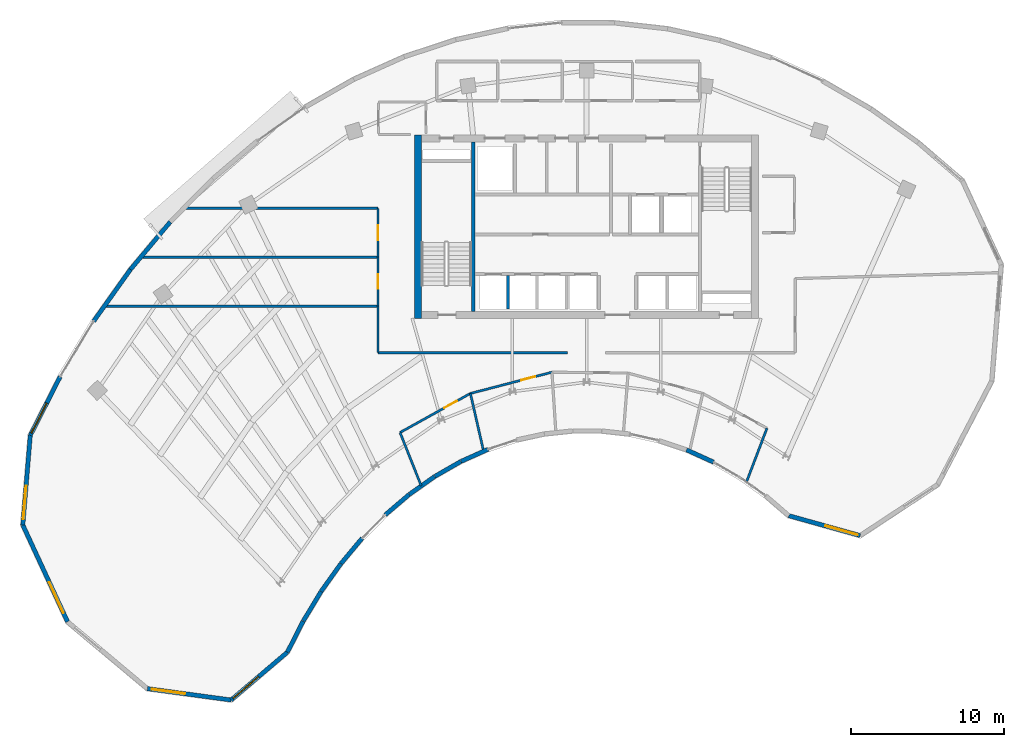
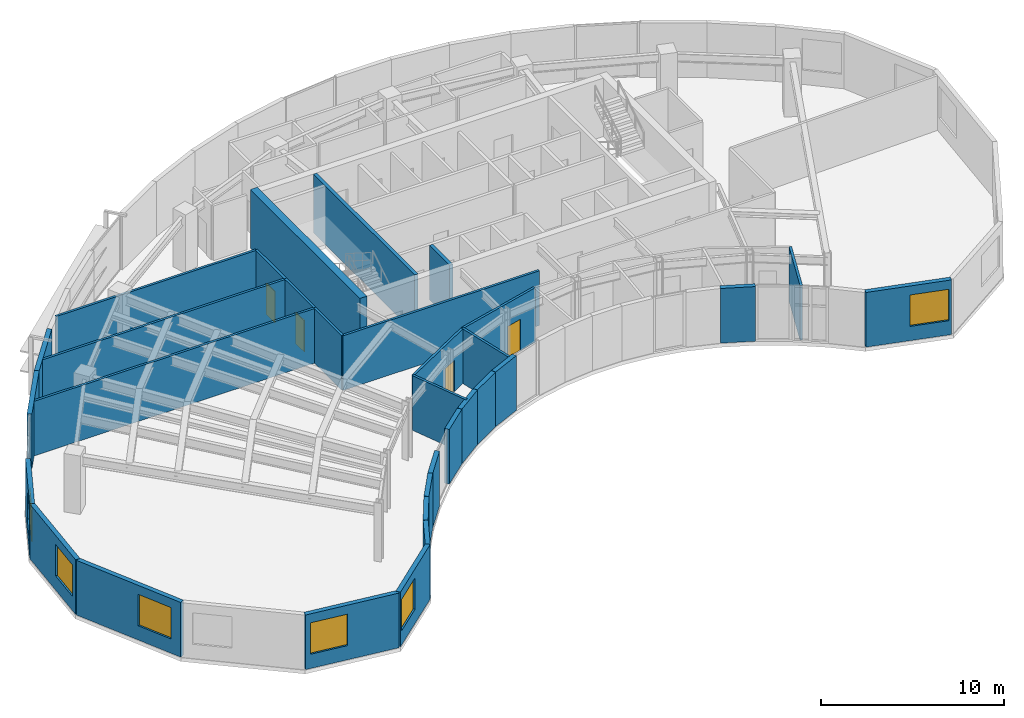
# One storey, part 7 of 12: 32 walls, 6 windows, 4 doors, 10 openings.
"""IFC4 building model written with IfcOpenShell, lengths in metres."""

from ifc_helpers import new_model, si_unit, direction, frame, frame_2d, origin, place, context, subcontext, project, spatial, rectangle, extrude, source, transform, mapped, material, layer, layer_set, type_object, type_shapes, element, fill, save


model = new_model("IFC4")

# Units and contexts
model_context = context("Model", 3, precision=1e-05, world=origin(), true_north=direction((0.0, 1.0)))
body_context = subcontext(model_context, "Body", "Model", "MODEL_VIEW")
ifc_project = project(units=[si_unit("LENGTHUNIT", "METRE"), si_unit("AREAUNIT", "SQUARE_METRE"), si_unit("VOLUMEUNIT", "CUBIC_METRE"), si_unit("PLANEANGLEUNIT", "RADIAN"), si_unit("MASSUNIT", "GRAM", prefix="KILO")], contexts=[model_context])

# Site, building, storey
site_placement = place(None, origin())
site = spatial("IfcSite", under=ifc_project, at=site_placement, CompositionType="ELEMENT")
building_placement = place(site_placement, origin())
building = spatial("IfcBuilding", under=site, at=building_placement, Name="Breltana Convention Tower", CompositionType="ELEMENT")
storey_placement = place(building_placement, frame((0.0, 0.0, 239.10009765625)))
storey = spatial("IfcBuildingStorey", under=building, at=storey_placement, Name="L58", CompositionType="ELEMENT", Elevation=239.10009765625)

# Walls
ifc_material_1 = material(Name="Concrete C60/75", Category="concrete")
ifc_layer_1 = layer(ifc_material_1, 0.449951171875, Name="Concrete C60/75")
ifc_layer_set_1 = layer_set([ifc_layer_1], Name="Concrete C60/75")
wall_type_1 = type_object("IfcWallType", Name="SW-CORE-450", PredefinedType="SHEAR", material=ifc_layer_set_1)
shared_shape_1 = source(origin(), body_context, "Body", "SweptSolid", [
    extrude(rectangle(XDim=12.0, YDim=0.449951171875, at=frame_2d((6.0, 0.0))), origin(), (0.0, 0.0, 1.0), 3.89990234375),
])
wall_1_placement = place(storey_placement, frame((36.97509765625, 60.199951171875, 0.0), z_axis=(0.0, 0.0, 1.0), x_axis=(0.0, 1.0, 0.0)))
element("IfcWall", 1, at=wall_1_placement, inside=storey, type_object=wall_type_1, Name="L58 West Core Shear Wall", PredefinedType="SHEAR", context=body_context, shape_type="MappedRepresentation", body=[
    mapped(shared_shape_1, transform((0.0, 0.0, 0.0), scale=1.0)),
])
ifc_material_2 = material(Name="Concrete C50/60", Category="concrete")
ifc_layer_2 = layer(ifc_material_2, 0.39990234375, Name="Concrete C50/60")
ifc_layer_set_2 = layer_set([ifc_layer_2], Name="Concrete C50/60")
wall_type_2 = type_object("IfcWallType", Name="SW-CORE-400", PredefinedType="SHEAR", material=ifc_layer_set_2)
shared_shape_2 = source(origin(), body_context, "Body", "SweptSolid", [
    extrude(rectangle(XDim=11.10009765625, YDim=0.219970703125, at=frame_2d((5.550048828125, 0.0))), origin(), (0.0, 0.0, 1.0), 3.89990234375),
])
wall_2_placement = place(storey_placement, frame((40.580078125, 60.64990234375, 0.0), z_axis=(0.0, 0.0, 1.0), x_axis=(0.0, 1.0, 0.0)))
element("IfcWall", 2, at=wall_2_placement, inside=storey, type_object=wall_type_2, Name="L58 Core West Stair Spine Wall", PredefinedType="SHEAR", context=body_context, shape_type="MappedRepresentation", body=[
    mapped(shared_shape_2, transform((0.0, 0.0, 0.0), scale=1.0)),
])

# Wall, opening, window
ifc_material_3 = material(Name="Limestone Buff Insulated Wall", Category="masonry")
ifc_layer_3 = layer(ifc_material_3, 0.280029296875, Name="Limestone Buff Insulated Wall")
ifc_layer_set_3 = layer_set([ifc_layer_3], Name="Limestone Buff Insulated Wall")
wall_type_3 = type_object("IfcWallType", Name="WL-EXT-NOSE-280", PredefinedType="SOLIDWALL", material=ifc_layer_set_3)
shared_shape_3 = source(origin(), body_context, "Body", "SweptSolid", [
    extrude(rectangle(XDim=4.84716796875, YDim=0.280029296875, at=frame_2d((2.423583984375, 0.0))), origin(), (0.0, 0.0, 1.0), 3.64990234375),
])
wall_3_placement = place(storey_placement, frame((65.890625, 45.996337890625, 0.0), z_axis=(0.0, 0.0, 1.0), x_axis=(-0.963208430762, 0.268755500238, 0.0)))
wall_3 = element("IfcWall", 3, at=wall_3_placement, inside=storey, type_object=wall_type_3, Name="L58 curved limestone nose wall E5", PredefinedType="SOLIDWALL", context=body_context, shape_type="MappedRepresentation", body=[
    mapped(shared_shape_3, transform((0.0, 0.0, 0.0), scale=1.0)),
])
opening_1_placement = place(wall_3_placement, frame((0.159912109375, 0.0, 0.949951171875)))
opening_1 = element("IfcOpeningElement", 4, at=opening_1_placement, cuts=wall_3, Name="Opening W-03", PredefinedType="OPENING", context=body_context, shape_type="SweptSolid", body=[
    extrude(rectangle(XDim=2.199951171875, YDim=2.10009765625, at=frame_2d((1.10009765625, 1.050048828125))), frame((0.0, 0.14990234375, 0.0), z_axis=(0.0, -1.0, 0.0), x_axis=(1.0, 0.0, 0.0)), (0.0, 0.0, 1.0), 0.300048828125),
])
ifc_material_4 = material(Name="Glass Low-E Insulated Window", Category="glass")
window_type = type_object("IfcWindowType", Name="WN-NOSE-2200X2100", PartitioningType="TRIPLE_PANEL_VERTICAL", PredefinedType="WINDOW", material=ifc_material_4)
shared_shape_4 = source(origin(), body_context, "Body", "SweptSolid", [
    extrude(rectangle(XDim=2.199951171875, YDim=2.10009765625, at=frame_2d((1.10009765625, 1.050048828125))), frame((0.0, 0.030029296875, 0.0), z_axis=(0.0, -1.0, 0.0), x_axis=(1.0, 0.0, 0.0)), (0.0, 0.0, 1.0), 0.06005859375),
])
type_shapes(window_type, [shared_shape_4])
window_1_placement = place(opening_1_placement, origin())
window_1 = element("IfcWindow", 5, at=window_1_placement, inside=storey, type_object=window_type, Name="L58 nose window E5", OverallHeight=2.10009765625, OverallWidth=2.199951171875, PartitioningType="TRIPLE_PANEL_VERTICAL", PredefinedType="WINDOW", context=body_context, shape_type="MappedRepresentation", body=[
    mapped(shared_shape_4, transform((0.0, 0.0, 0.0), scale=1.0)),
])
fill(opening_1, window_1)

# Walls
shared_shape_5 = source(origin(), body_context, "Body", "SweptSolid", [
    extrude(rectangle(XDim=1.932861328125, YDim=0.280029296875, at=frame_2d((0.96630859375, 0.0))), origin(), (0.0, 0.0, 1.0), 3.64990234375),
])
wall_4_placement = place(storey_placement, frame((56.2998046875, 50.802001953125, 0.0), z_axis=(0.0, 0.0, 1.0), x_axis=(-0.910478916145, 0.413555489936, 0.0)))
element("IfcWall", 6, at=wall_4_placement, inside=storey, type_object=wall_type_3, Name="L58 curved limestone nose wall E7", PredefinedType="SOLIDWALL", context=body_context, shape_type="MappedRepresentation", body=[
    mapped(shared_shape_5, transform((0.0, 0.0, 0.0), scale=1.0)),
])
shared_shape_6 = source(origin(), body_context, "Body", "SweptSolid", [
    extrude(rectangle(XDim=1.968994140625, YDim=0.280029296875, at=frame_2d((0.984375, 0.0))), origin(), (0.0, 0.0, 1.0), 3.64990234375),
])
wall_5_placement = place(storey_placement, frame((39.77880859375, 50.84228515625, 0.0), z_axis=(0.0, 0.0, 1.0), x_axis=(-0.86797594681, -0.496606238139, 0.0)))
element("IfcWall", 7, at=wall_5_placement, inside=storey, type_object=wall_type_3, Name="L58 curved limestone nose wall E14", PredefinedType="SOLIDWALL", context=body_context, shape_type="MappedRepresentation", body=[
    mapped(shared_shape_6, transform((0.0, 0.0, 0.0), scale=1.0)),
])
shared_shape_7 = source(origin(), body_context, "Body", "SweptSolid", [
    extrude(rectangle(XDim=2.011962890625, YDim=0.280029296875, at=frame_2d((1.005859375, 0.0))), origin(), (0.0, 0.0, 1.0), 3.64990234375),
])
wall_6_placement = place(storey_placement, frame((38.055419921875, 49.855224609375, 0.0), z_axis=(0.0, 0.0, 1.0), x_axis=(-0.817008215805, -0.576626027255, 0.0)))
element("IfcWall", 8, at=wall_6_placement, inside=storey, type_object=wall_type_3, Name="L58 curved limestone nose wall E15", PredefinedType="SOLIDWALL", context=body_context, shape_type="MappedRepresentation", body=[
    mapped(shared_shape_7, transform((0.0, 0.0, 0.0), scale=1.0)),
])
shared_shape_8 = source(origin(), body_context, "Body", "SweptSolid", [
    extrude(rectangle(XDim=2.0595703125, YDim=0.280029296875, at=frame_2d((1.02978515625, 0.0))), origin(), (0.0, 0.0, 1.0), 3.64990234375),
])
wall_7_placement = place(storey_placement, frame((36.398681640625, 48.68505859375, 0.0), z_axis=(0.0, 0.0, 1.0), x_axis=(-0.761494573969, -0.648171284319, 0.0)))
element("IfcWall", 9, at=wall_7_placement, inside=storey, type_object=wall_type_3, Name="L58 curved limestone nose wall E16", PredefinedType="SOLIDWALL", context=body_context, shape_type="MappedRepresentation", body=[
    mapped(shared_shape_8, transform((0.0, 0.0, 0.0), scale=1.0)),
])
shared_shape_9 = source(origin(), body_context, "Body", "SweptSolid", [
    extrude(rectangle(XDim=2.211669921875, YDim=0.280029296875, at=frame_2d((1.10595703125, 0.0))), origin(), (0.0, 0.0, 1.0), 3.64990234375),
])
wall_8_placement = place(storey_placement, frame((31.931396484375, 44.159423828125, 0.0), z_axis=(0.0, 0.0, 1.0), x_axis=(-0.579639452819, -0.814873060504, 0.0)))
element("IfcWall", 10, at=wall_8_placement, inside=storey, type_object=wall_type_3, Name="L58 curved limestone nose wall E18", PredefinedType="SOLIDWALL", context=body_context, shape_type="MappedRepresentation", body=[
    mapped(shared_shape_9, transform((0.0, 0.0, 0.0), scale=1.0)),
])
shared_shape_10 = source(origin(), body_context, "Body", "SweptSolid", [
    extrude(rectangle(XDim=2.260986328125, YDim=0.280029296875, at=frame_2d((1.13037109375, 0.0))), origin(), (0.0, 0.0, 1.0), 3.64990234375),
])
wall_9_placement = place(storey_placement, frame((30.64208984375, 42.345703125, 0.0), z_axis=(0.0, 0.0, 1.0), x_axis=(-0.516891494538, -0.856050923062, 0.0)))
element("IfcWall", 11, at=wall_9_placement, inside=storey, type_object=wall_type_3, Name="L58 curved limestone nose wall E19", PredefinedType="SOLIDWALL", context=body_context, shape_type="MappedRepresentation", body=[
    mapped(shared_shape_10, transform((0.0, 0.0, 0.0), scale=1.0)),
])
shared_shape_11 = source(origin(), body_context, "Body", "SweptSolid", [
    extrude(rectangle(XDim=2.271484375, YDim=0.280029296875, at=frame_2d((1.1357421875, 0.0))), origin(), (0.0, 0.0, 1.0), 3.64990234375),
])
wall_10_placement = place(storey_placement, frame((29.467041015625, 40.39892578125, 0.0), z_axis=(0.0, 0.0, 1.0), x_axis=(-0.453993402883, -0.891005044957, 0.0)))
element("IfcWall", 12, at=wall_10_placement, inside=storey, type_object=wall_type_3, Name="L58 curved limestone nose wall W1", PredefinedType="SOLIDWALL", context=body_context, shape_type="MappedRepresentation", body=[
    mapped(shared_shape_11, transform((0.0, 0.0, 0.0), scale=1.0)),
])

# Wall, opening, window
shared_shape_12 = source(origin(), body_context, "Body", "SweptSolid", [
    extrude(rectangle(XDim=4.830078125, YDim=0.280029296875, at=frame_2d((2.4150390625, 0.0))), origin(), (0.0, 0.0, 1.0), 3.64990234375),
])
wall_11_placement = place(storey_placement, frame((28.435791015625, 38.375, 0.0), z_axis=(0.0, 0.0, 1.0), x_axis=(-0.761890676316, -0.647705640968, 0.0)))
wall_11 = element("IfcWall", 13, at=wall_11_placement, inside=storey, type_object=wall_type_3, Name="L58 curved limestone nose wall W2", PredefinedType="SOLIDWALL", context=body_context, shape_type="MappedRepresentation", body=[
    mapped(shared_shape_12, transform((0.0, 0.0, 0.0), scale=1.0)),
])
opening_2_placement = place(wall_11_placement, frame((2.4697265625, 0.0, 0.949951171875)))
opening_2 = element("IfcOpeningElement", 14, at=opening_2_placement, cuts=wall_11, Name="Opening W-03", PredefinedType="OPENING", context=body_context, shape_type="SweptSolid", body=[
    extrude(rectangle(XDim=2.199951171875, YDim=2.10009765625, at=frame_2d((1.10009765625, 1.050048828125))), frame((0.0, 0.14990234375, 0.0), z_axis=(0.0, -1.0, 0.0), x_axis=(1.0, 0.0, 0.0)), (0.0, 0.0, 1.0), 0.300048828125),
])
window_2_placement = place(opening_2_placement, origin())
window_2 = element("IfcWindow", 15, at=window_2_placement, inside=storey, type_object=window_type, Name="L58 nose window W2", OverallHeight=2.10009765625, OverallWidth=2.199951171875, PartitioningType="TRIPLE_PANEL_VERTICAL", PredefinedType="WINDOW", context=body_context, shape_type="MappedRepresentation", body=[
    mapped(shared_shape_4, transform((0.0, 0.0, 0.0), scale=1.0)),
])
fill(opening_2, window_2)

shared_shape_13 = source(origin(), body_context, "Body", "SweptSolid", [
    extrude(rectangle(XDim=5.51953125, YDim=0.280029296875, at=frame_2d((2.759765625, 0.0))), origin(), (0.0, 0.0, 1.0), 3.64990234375),
])
wall_12_placement = place(storey_placement, frame((24.755859375, 35.24658203125, 0.0), z_axis=(0.0, 0.0, 1.0), x_axis=(-0.99093029136, 0.134376923856, 0.0)))
wall_12 = element("IfcWall", 16, at=wall_12_placement, inside=storey, type_object=wall_type_3, Name="L58 curved limestone nose wall W3", PredefinedType="SOLIDWALL", context=body_context, shape_type="MappedRepresentation", body=[
    mapped(shared_shape_13, transform((0.0, 0.0, 0.0), scale=1.0)),
])
opening_3_placement = place(wall_12_placement, frame((3.039794921875, 0.0, 0.949951171875)))
opening_3 = element("IfcOpeningElement", 17, at=opening_3_placement, cuts=wall_12, Name="Opening W-03", PredefinedType="OPENING", context=body_context, shape_type="SweptSolid", body=[
    extrude(rectangle(XDim=2.199951171875, YDim=2.10009765625, at=frame_2d((1.10009765625, 1.050048828125))), frame((0.0, 0.14990234375, 0.0), z_axis=(0.0, -1.0, 0.0), x_axis=(1.0, 0.0, 0.0)), (0.0, 0.0, 1.0), 0.300048828125),
])
window_3_placement = place(opening_3_placement, origin())
window_3 = element("IfcWindow", 18, at=window_3_placement, inside=storey, type_object=window_type, Name="L58 nose window W3", OverallHeight=2.10009765625, OverallWidth=2.199951171875, PartitioningType="TRIPLE_PANEL_VERTICAL", PredefinedType="WINDOW", context=body_context, shape_type="MappedRepresentation", body=[
    mapped(shared_shape_4, transform((0.0, 0.0, 0.0), scale=1.0)),
])
fill(opening_3, window_3)

shared_shape_14 = source(origin(), body_context, "Body", "SweptSolid", [
    extrude(rectangle(XDim=6.976806640625, YDim=0.280029296875, at=frame_2d((3.48828125, 0.0))), origin(), (0.0, 0.0, 1.0), 3.64990234375),
])
wall_13_placement = place(storey_placement, frame((14.0634765625, 40.361572265625, 0.0), z_axis=(0.0, 0.0, 1.0), x_axis=(-0.41966832263, 0.907677530283, 0.0)))
wall_13 = element("IfcWall", 19, at=wall_13_placement, inside=storey, type_object=wall_type_3, Name="L58 curved limestone nose wall W5", PredefinedType="SOLIDWALL", context=body_context, shape_type="MappedRepresentation", body=[
    mapped(shared_shape_14, transform((0.0, 0.0, 0.0), scale=1.0)),
])
opening_4_placement = place(wall_13_placement, frame((0.644287109375, 0.0, 0.949951171875)))
opening_4 = element("IfcOpeningElement", 20, at=opening_4_placement, cuts=wall_13, Name="Opening W-03", PredefinedType="OPENING", context=body_context, shape_type="SweptSolid", body=[
    extrude(rectangle(XDim=2.199951171875, YDim=2.10009765625, at=frame_2d((1.10009765625, 1.050048828125))), frame((0.0, 0.14990234375, 0.0), z_axis=(0.0, -1.0, 0.0), x_axis=(1.0, 0.0, 0.0)), (0.0, 0.0, 1.0), 0.300048828125),
])
window_4_placement = place(opening_4_placement, origin())
window_4 = element("IfcWindow", 21, at=window_4_placement, inside=storey, type_object=window_type, Name="L58 nose window W5", OverallHeight=2.10009765625, OverallWidth=2.199951171875, PartitioningType="TRIPLE_PANEL_VERTICAL", PredefinedType="WINDOW", context=body_context, shape_type="MappedRepresentation", body=[
    mapped(shared_shape_4, transform((0.0, 0.0, 0.0), scale=1.0)),
])
fill(opening_4, window_4)

shared_shape_15 = source(origin(), body_context, "Body", "SweptSolid", [
    extrude(rectangle(XDim=5.880859375, YDim=0.280029296875, at=frame_2d((2.9404296875, 0.0))), origin(), (0.0, 0.0, 1.0), 3.64990234375),
])
wall_14_placement = place(storey_placement, frame((11.135498046875, 46.6943359375, 0.0), z_axis=(0.0, 0.0, 1.0), x_axis=(0.083320333731, 0.996522815588, 0.0)))
wall_14 = element("IfcWall", 22, at=wall_14_placement, inside=storey, type_object=wall_type_3, Name="L58 curved limestone nose wall W6", PredefinedType="SOLIDWALL", context=body_context, shape_type="MappedRepresentation", body=[
    mapped(shared_shape_15, transform((0.0, 0.0, 0.0), scale=1.0)),
])
opening_5_placement = place(wall_14_placement, frame((0.3701171875, 0.0, 0.949951171875)))
opening_5 = element("IfcOpeningElement", 23, at=opening_5_placement, cuts=wall_14, Name="Opening W-03", PredefinedType="OPENING", context=body_context, shape_type="SweptSolid", body=[
    extrude(rectangle(XDim=2.199951171875, YDim=2.10009765625, at=frame_2d((1.10009765625, 1.050048828125))), frame((0.0, 0.14990234375, 0.0), z_axis=(0.0, -1.0, 0.0), x_axis=(1.0, 0.0, 0.0)), (0.0, 0.0, 1.0), 0.300048828125),
])
window_5_placement = place(opening_5_placement, origin())
window_5 = element("IfcWindow", 24, at=window_5_placement, inside=storey, type_object=window_type, Name="L58 nose window W6", OverallHeight=2.10009765625, OverallWidth=2.199951171875, PartitioningType="TRIPLE_PANEL_VERTICAL", PredefinedType="WINDOW", context=body_context, shape_type="MappedRepresentation", body=[
    mapped(shared_shape_4, transform((0.0, 0.0, 0.0), scale=1.0)),
])
fill(opening_5, window_5)

shared_shape_16 = source(origin(), body_context, "Body", "SweptSolid", [
    extrude(rectangle(XDim=4.30126953125, YDim=0.280029296875, at=frame_2d((2.150634765625, 0.0))), origin(), (0.0, 0.0, 1.0), 3.64990234375),
])
wall_15_placement = place(storey_placement, frame((11.62548828125, 52.5546875, 0.0), z_axis=(0.0, 0.0, 1.0), x_axis=(0.454011655096, 0.89099574468, 0.0)))
wall_15 = element("IfcWall", 25, at=wall_15_placement, inside=storey, type_object=wall_type_3, Name="L58 curved limestone nose wall W7", PredefinedType="SOLIDWALL", context=body_context, shape_type="MappedRepresentation", body=[
    mapped(shared_shape_16, transform((0.0, 0.0, 0.0), scale=1.0)),
])
opening_6_placement = place(wall_15_placement, frame((0.159912109375, 0.0, 0.949951171875)))
opening_6 = element("IfcOpeningElement", 26, at=opening_6_placement, cuts=wall_15, Name="Opening W-03", PredefinedType="OPENING", context=body_context, shape_type="SweptSolid", body=[
    extrude(rectangle(XDim=2.199951171875, YDim=2.10009765625, at=frame_2d((1.10009765625, 1.050048828125))), frame((0.0, 0.14990234375, 0.0), z_axis=(0.0, -1.0, 0.0), x_axis=(1.0, 0.0, 0.0)), (0.0, 0.0, 1.0), 0.300048828125),
])
window_6_placement = place(opening_6_placement, origin())
window_6 = element("IfcWindow", 27, at=window_6_placement, inside=storey, type_object=window_type, Name="L58 nose window W7", OverallHeight=2.10009765625, OverallWidth=2.199951171875, PartitioningType="TRIPLE_PANEL_VERTICAL", PredefinedType="WINDOW", context=body_context, shape_type="MappedRepresentation", body=[
    mapped(shared_shape_4, transform((0.0, 0.0, 0.0), scale=1.0)),
])
fill(opening_6, window_6)

# Walls
shared_shape_17 = source(origin(), body_context, "Body", "SweptSolid", [
    extrude(rectangle(XDim=4.14892578125, YDim=0.280029296875, at=frame_2d((2.074462890625, 0.0))), origin(), (0.0, 0.0, 1.0), 3.64990234375),
])
wall_16_placement = place(storey_placement, frame((15.77099609375, 60.018798828125, 0.0), z_axis=(0.0, 0.0, 1.0), x_axis=(0.579622789827, 0.814884913048, 0.0)))
element("IfcWall", 28, at=wall_16_placement, inside=storey, type_object=wall_type_3, Name="L58 curved limestone nose wall E20", PredefinedType="SOLIDWALL", context=body_context, shape_type="MappedRepresentation", body=[
    mapped(shared_shape_17, transform((0.0, 0.0, 0.0), scale=1.0)),
])
shared_shape_18 = source(origin(), body_context, "Body", "SweptSolid", [
    extrude(rectangle(XDim=1.930908203125, YDim=0.280029296875, at=frame_2d((0.96533203125, 0.0))), origin(), (0.0, 0.0, 1.0), 3.64990234375),
])
wall_17_placement = place(storey_placement, frame((41.556884765625, 51.639404296875, 0.0), z_axis=(0.0, 0.0, 1.0), x_axis=(-0.912681759743, -0.408671023481, 0.0)))
element("IfcWall", 29, at=wall_17_placement, inside=storey, type_object=wall_type_3, Name="L58 curved limestone nose wall E13", PredefinedType="SOLIDWALL", context=body_context, shape_type="MappedRepresentation", body=[
    mapped(shared_shape_18, transform((0.0, 0.0, 0.0), scale=1.0)),
])
shared_shape_19 = source(origin(), body_context, "Body", "SweptSolid", [
    extrude(rectangle(XDim=2.16064453125, YDim=0.280029296875, at=frame_2d((1.080322265625, 0.0))), origin(), (0.0, 0.0, 1.0), 3.64990234375),
])
wall_18_placement = place(storey_placement, frame((33.32666015625, 45.82763671875, 0.0), z_axis=(0.0, 0.0, 1.0), x_axis=(-0.641794516235, -0.766876651705, 0.0)))
element("IfcWall", 30, at=wall_18_placement, inside=storey, type_object=wall_type_3, Name="L58 curved limestone nose wall E17", PredefinedType="SOLIDWALL", context=body_context, shape_type="MappedRepresentation", body=[
    mapped(shared_shape_19, transform((0.0, 0.0, 0.0), scale=1.0)),
])
shared_shape_20 = source(origin(), body_context, "Body", "SweptSolid", [
    extrude(rectangle(XDim=4.05224609375, YDim=0.280029296875, at=frame_2d((2.026123046875, 0.0))), origin(), (0.0, 0.0, 1.0), 3.64990234375),
])
wall_19_placement = place(storey_placement, frame((18.17578125, 63.399658203125, 0.0), z_axis=(0.0, 0.0, 1.0), x_axis=(0.641765301437, 0.76690110045, 0.0)))
element("IfcWall", 31, at=wall_19_placement, inside=storey, type_object=wall_type_3, Name="L58 curved limestone nose wall E21", PredefinedType="SOLIDWALL", context=body_context, shape_type="MappedRepresentation", body=[
    mapped(shared_shape_20, transform((0.0, 0.0, 0.0), scale=1.0)),
])
ifc_material_5 = material(Name="Autoclaved Aerated Concrete Block", Category="concrete")
ifc_layer_4 = layer(ifc_material_5, 0.199951171875, Name="Autoclaved Aerated Concrete Block")
ifc_layer_set_4 = layer_set([ifc_layer_4], Name="Autoclaved Aerated Concrete Block")
wall_type_4 = type_object("IfcWallType", Name="WL-SHAFT-200", PredefinedType="SOLIDWALL", material=ifc_layer_set_4)
shared_shape_21 = source(origin(), body_context, "Body", "SweptSolid", [
    extrude(rectangle(XDim=2.199951171875, YDim=0.199951171875, at=frame_2d((1.10009765625, 0.0))), origin(), (0.0, 0.0, 1.0), 3.64990234375),
])
wall_20_placement = place(storey_placement, frame((42.8701171875, 60.800048828125, 0.0), z_axis=(0.0, 0.0, 1.0), x_axis=(0.0, 1.0, 0.0)))
element("IfcWall", 32, at=wall_20_placement, inside=storey, type_object=wall_type_4, Name="L58 interior partition W-L58-SH-S-DIV1", PredefinedType="SOLIDWALL", context=body_context, shape_type="MappedRepresentation", body=[
    mapped(shared_shape_21, transform((0.0, 0.0, 0.0), scale=1.0)),
])

# Wall, opening, door
ifc_material_6 = material(Name="Gypsum Acoustic Drywall Partition")
ifc_layer_5 = layer(ifc_material_6, 0.14990234375, Name="Gypsum Acoustic Drywall Partition")
ifc_layer_set_5 = layer_set([ifc_layer_5], Name="Gypsum Acoustic Drywall Partition")
wall_type_5 = type_object("IfcWallType", Name="WL-PART-150", PredefinedType="PARTITIONING", material=ifc_layer_set_5)
shared_shape_22 = source(origin(), body_context, "Body", "SweptSolid", [
    extrude(rectangle(XDim=5.262451171875, YDim=0.14990234375, at=frame_2d((2.63134765625, 0.0))), origin(), (0.0, 0.0, 1.0), 3.64990234375),
])
wall_21_placement = place(storey_placement, frame((35.802978515625, 52.73828125, 0.0), z_axis=(0.0, 0.0, 1.0), x_axis=(0.874365088288, 0.485268680612, 0.0)))
wall_21 = element("IfcWall", 33, at=wall_21_placement, inside=storey, type_object=wall_type_5, Name="L58 interior partition W-L58-ES1-COR", PredefinedType="PARTITIONING", context=body_context, shape_type="MappedRepresentation", body=[
    mapped(shared_shape_22, transform((0.0, 0.0, 0.0), scale=1.0)),
])
opening_7_placement = place(wall_21_placement, frame((3.30615234375, 0.0, 0.0)))
opening_7 = element("IfcOpeningElement", 34, at=opening_7_placement, cuts=wall_21, Name="Opening D-17", PredefinedType="OPENING", context=body_context, shape_type="SweptSolid", body=[
    extrude(rectangle(XDim=0.949951171875, YDim=2.10009765625, at=frame_2d((0.47509765625, 1.050048828125))), frame((0.0, 0.0849609375, 0.0), z_axis=(0.0, -1.0, 0.0), x_axis=(1.0, 0.0, 0.0)), (0.0, 0.0, 1.0), 0.169921875),
])
ifc_material_7 = material(Name="Timber Oak Veneer Door", Category="wood")
door_type = type_object("IfcDoorType", Name="DR-INT-950", OperationType="NOTDEFINED", PredefinedType="DOOR", material=ifc_material_7)
shared_shape_23 = source(origin(), body_context, "Body", "SweptSolid", [
    extrude(rectangle(XDim=0.949951171875, YDim=2.10009765625, at=frame_2d((0.47509765625, 1.050048828125))), frame((0.0, 0.02490234375, 0.0), z_axis=(0.0, -1.0, 0.0), x_axis=(1.0, 0.0, 0.0)), (0.0, 0.0, 1.0), 0.050048828125),
])
type_shapes(door_type, [shared_shape_23])
door_1_placement = place(opening_7_placement, origin())
door_1 = element("IfcDoor", 35, at=door_1_placement, inside=storey, type_object=door_type, Name="L58 interior door D-L58-ES1", OperationType="SINGLE_SWING_RIGHT", OverallHeight=2.10009765625, OverallWidth=0.949951171875, PredefinedType="DOOR", context=body_context, shape_type="MappedRepresentation", body=[
    mapped(shared_shape_23, transform((0.0, 0.0, 0.0), scale=1.0)),
])
fill(opening_7, door_1)

# Walls
shared_shape_24 = source(origin(), body_context, "Body", "SweptSolid", [
    extrude(rectangle(XDim=3.7490234375, YDim=0.14990234375, at=frame_2d((1.87451171875, 0.0))), origin(), (0.0, 0.0, 1.0), 3.64990234375),
])
wall_22_placement = place(storey_placement, frame((37.185791015625, 49.253662109375, 0.0), z_axis=(0.0, 0.0, 1.0), x_axis=(-0.368851771682, 0.92948823044, 0.0)))
element("IfcWall", 36, at=wall_22_placement, inside=storey, type_object=wall_type_5, Name="L58 interior partition W-L58-ES1-RA", PredefinedType="PARTITIONING", context=body_context, shape_type="MappedRepresentation", body=[
    mapped(shared_shape_24, transform((0.0, 0.0, 0.0), scale=1.0)),
])
shared_shape_25 = source(origin(), body_context, "Body", "SweptSolid", [
    extrude(rectangle(XDim=3.869384765625, YDim=0.14990234375, at=frame_2d((1.9345703125, 0.0))), origin(), (0.0, 0.0, 1.0), 3.64990234375),
])
wall_23_placement = place(storey_placement, frame((41.264892578125, 51.51953125, 0.0), z_axis=(0.0, 0.0, 1.0), x_axis=(-0.22241189466, 0.974952793274, 0.0)))
element("IfcWall", 37, at=wall_23_placement, inside=storey, type_object=wall_type_5, Name="L58 interior partition W-L58-ES1-RB", PredefinedType="PARTITIONING", context=body_context, shape_type="MappedRepresentation", body=[
    mapped(shared_shape_25, transform((0.0, 0.0, 0.0), scale=1.0)),
])

# Wall, opening, door
shared_shape_26 = source(origin(), body_context, "Body", "SweptSolid", [
    extrude(rectangle(XDim=5.50927734375, YDim=0.14990234375, at=frame_2d((2.754638671875, 0.0))), origin(), (0.0, 0.0, 1.0), 3.64990234375),
])
wall_24_placement = place(storey_placement, frame((40.404296875, 55.2919921875, 0.0), z_axis=(0.0, 0.0, 1.0), x_axis=(0.96771038598, 0.252064691828, 0.0)))
wall_24 = element("IfcWall", 38, at=wall_24_placement, inside=storey, type_object=wall_type_5, Name="L58 interior partition W-L58-ES2-COR", PredefinedType="PARTITIONING", context=body_context, shape_type="MappedRepresentation", body=[
    mapped(shared_shape_26, transform((0.0, 0.0, 0.0), scale=1.0)),
])
opening_8_placement = place(wall_24_placement, frame((3.4296875, 0.0, 0.0)))
opening_8 = element("IfcOpeningElement", 39, at=opening_8_placement, cuts=wall_24, Name="Opening D-17", PredefinedType="OPENING", context=body_context, shape_type="SweptSolid", body=[
    extrude(rectangle(XDim=0.949951171875, YDim=2.10009765625, at=frame_2d((0.47509765625, 1.050048828125))), frame((0.0, 0.0849609375, 0.0), z_axis=(0.0, -1.0, 0.0), x_axis=(1.0, 0.0, 0.0)), (0.0, 0.0, 1.0), 0.169921875),
])
door_2_placement = place(opening_8_placement, origin())
door_2 = element("IfcDoor", 40, at=door_2_placement, inside=storey, type_object=door_type, Name="L58 interior door D-L58-ES2", OperationType="SINGLE_SWING_LEFT", OverallHeight=2.10009765625, OverallWidth=0.949951171875, PredefinedType="DOOR", context=body_context, shape_type="MappedRepresentation", body=[
    mapped(shared_shape_23, transform((0.0, 0.0, 0.0), scale=1.0)),
])
fill(opening_8, door_2)

# Walls
shared_shape_27 = source(origin(), body_context, "Body", "SweptSolid", [
    extrude(rectangle(XDim=3.75732421875, YDim=0.14990234375, at=frame_2d((1.878662109375, 0.0))), origin(), (0.0, 0.0, 1.0), 3.64990234375),
])
wall_25_placement = place(storey_placement, frame((58.459228515625, 49.5068359375, 0.0), z_axis=(0.0, 0.0, 1.0), x_axis=(0.355427833237, 0.93470372598, 0.0)))
element("IfcWall", 41, at=wall_25_placement, inside=storey, type_object=wall_type_5, Name="L58 interior partition W-L58-ES5-RB", PredefinedType="PARTITIONING", context=body_context, shape_type="MappedRepresentation", body=[
    mapped(shared_shape_27, transform((0.0, 0.0, 0.0), scale=1.0)),
])
shared_shape_28 = source(origin(), body_context, "Body", "SweptSolid", [
    extrude(rectangle(XDim=12.389892578125, YDim=0.14990234375, at=frame_2d((6.19482421875, 0.0))), origin(), (0.0, 0.0, 1.0), 3.64990234375),
])
wall_26_placement = place(storey_placement, frame((34.360107421875, 57.9599609375, 0.0), z_axis=(0.0, 0.0, 1.0), x_axis=(1.0, 0.0, 0.0)))
element("IfcWall", 42, at=wall_26_placement, inside=storey, type_object=wall_type_5, Name="L58 interior partition W-L58-Z45-CSW", PredefinedType="PARTITIONING", context=body_context, shape_type="MappedRepresentation", body=[
    mapped(shared_shape_28, transform((0.0, 0.0, 0.0), scale=1.0)),
])
shared_shape_29 = source(origin(), body_context, "Body", "SweptSolid", [
    extrude(rectangle(XDim=17.87890625, YDim=0.14990234375, at=frame_2d((8.939453125, 0.0))), origin(), (0.0, 0.0, 1.0), 3.64990234375),
])
wall_27_placement = place(storey_placement, frame((16.481201171875, 61.0, 0.0), z_axis=(0.0, 0.0, 1.0), x_axis=(1.0, 0.0, 0.0)))
element("IfcWall", 43, at=wall_27_placement, inside=storey, type_object=wall_type_5, Name="L58 interior partition W-L58-EXW1-N", PredefinedType="PARTITIONING", context=body_context, shape_type="MappedRepresentation", body=[
    mapped(shared_shape_29, transform((0.0, 0.0, 0.0), scale=1.0)),
])
shared_shape_30 = source(origin(), body_context, "Body", "SweptSolid", [
    extrude(rectangle(XDim=3.0400390625, YDim=0.14990234375, at=frame_2d((1.52001953125, 0.0))), origin(), (0.0, 0.0, 1.0), 3.64990234375),
])
wall_28_placement = place(storey_placement, frame((34.360107421875, 57.9599609375, 0.0), z_axis=(0.0, 0.0, 1.0), x_axis=(0.0, 1.0, 0.0)))
element("IfcWall", 44, at=wall_28_placement, inside=storey, type_object=wall_type_5, Name="L58 interior partition W-L58-EXW1-ENT", PredefinedType="PARTITIONING", context=body_context, shape_type="MappedRepresentation", body=[
    mapped(shared_shape_30, transform((0.0, 0.0, 0.0), scale=1.0)),
])
shared_shape_31 = source(origin(), body_context, "Body", "SweptSolid", [
    extrude(rectangle(XDim=15.50146484375, YDim=0.14990234375, at=frame_2d((7.750732421875, 0.0))), origin(), (0.0, 0.0, 1.0), 3.64990234375),
])
wall_29_placement = place(storey_placement, frame((18.858642578125, 64.199951171875, 0.0), z_axis=(0.0, 0.0, 1.0), x_axis=(1.0, 0.0, 0.0)))
element("IfcWall", 45, at=wall_29_placement, inside=storey, type_object=wall_type_5, Name="L58 interior partition W-L58-EXW2-N", PredefinedType="PARTITIONING", context=body_context, shape_type="MappedRepresentation", body=[
    mapped(shared_shape_31, transform((0.0, 0.0, 0.0), scale=1.0)),
])

# Wall, opening, door
shared_shape_32 = source(origin(), body_context, "Body", "SweptSolid", [
    extrude(rectangle(XDim=3.199951171875, YDim=0.14990234375, at=frame_2d((1.60009765625, 0.0))), origin(), (0.0, 0.0, 1.0), 3.64990234375),
])
wall_30_placement = place(storey_placement, frame((34.360107421875, 61.0, 0.0), z_axis=(0.0, 0.0, 1.0), x_axis=(0.0, 1.0, 0.0)))
wall_30 = element("IfcWall", 46, at=wall_30_placement, inside=storey, type_object=wall_type_5, Name="L58 interior partition W-L58-EXW2-ENT", PredefinedType="PARTITIONING", context=body_context, shape_type="MappedRepresentation", body=[
    mapped(shared_shape_32, transform((0.0, 0.0, 0.0), scale=1.0)),
])
opening_9_placement = place(wall_30_placement, frame((1.125, 0.0, 0.0)))
opening_9 = element("IfcOpeningElement", 47, at=opening_9_placement, cuts=wall_30, Name="Opening D-17", PredefinedType="OPENING", context=body_context, shape_type="SweptSolid", body=[
    extrude(rectangle(XDim=0.949951171875, YDim=2.10009765625, at=frame_2d((0.47509765625, 1.050048828125))), frame((0.0, 0.0849609375, 0.0), z_axis=(0.0, -1.0, 0.0), x_axis=(1.0, 0.0, 0.0)), (0.0, 0.0, 1.0), 0.169921875),
])
door_3_placement = place(opening_9_placement, origin())
door_3 = element("IfcDoor", 48, at=door_3_placement, inside=storey, type_object=door_type, Name="L58 interior door D-L58-EXW2", OperationType="SINGLE_SWING_RIGHT", OverallHeight=2.10009765625, OverallWidth=0.949951171875, PredefinedType="DOOR", context=body_context, shape_type="MappedRepresentation", body=[
    mapped(shared_shape_23, transform((0.0, 0.0, 0.0), scale=1.0)),
])
fill(opening_9, door_3)

wall_31_placement = place(storey_placement, frame((34.360107421875, 64.199951171875, 0.0), z_axis=(0.0, 0.0, 1.0), x_axis=(0.0, 1.0, 0.0)))
wall_31 = element("IfcWall", 49, at=wall_31_placement, inside=storey, type_object=wall_type_5, Name="L58 interior partition W-L58-EXW3-ENT", PredefinedType="PARTITIONING", context=body_context, shape_type="MappedRepresentation", body=[
    mapped(shared_shape_32, transform((0.0, 0.0, 0.0), scale=1.0)),
])
opening_10_placement = place(wall_31_placement, frame((1.125, 0.0, 0.0)))
opening_10 = element("IfcOpeningElement", 50, at=opening_10_placement, cuts=wall_31, Name="Opening D-17", PredefinedType="OPENING", context=body_context, shape_type="SweptSolid", body=[
    extrude(rectangle(XDim=0.949951171875, YDim=2.10009765625, at=frame_2d((0.47509765625, 1.050048828125))), frame((0.0, 0.0849609375, 0.0), z_axis=(0.0, -1.0, 0.0), x_axis=(1.0, 0.0, 0.0)), (0.0, 0.0, 1.0), 0.169921875),
])
door_4_placement = place(opening_10_placement, origin())
door_4 = element("IfcDoor", 51, at=door_4_placement, inside=storey, type_object=door_type, Name="L58 interior door D-L58-EXW3", OperationType="SINGLE_SWING_LEFT", OverallHeight=2.10009765625, OverallWidth=0.949951171875, PredefinedType="DOOR", context=body_context, shape_type="MappedRepresentation", body=[
    mapped(shared_shape_23, transform((0.0, 0.0, 0.0), scale=1.0)),
])
fill(opening_10, door_4)

# Wall
shared_shape_33 = source(origin(), body_context, "Body", "SweptSolid", [
    extrude(rectangle(XDim=12.68798828125, YDim=0.14990234375, at=frame_2d((6.343994140625, 0.0))), origin(), (0.0, 0.0, 1.0), 3.64990234375),
])
wall_32_placement = place(storey_placement, frame((21.672119140625, 67.39990234375, 0.0), z_axis=(0.0, 0.0, 1.0), x_axis=(1.0, 0.0, 0.0)))
element("IfcWall", 52, at=wall_32_placement, inside=storey, type_object=wall_type_5, Name="L58 interior partition W-L58-EXW3-N", PredefinedType="PARTITIONING", context=body_context, shape_type="MappedRepresentation", body=[
    mapped(shared_shape_33, transform((0.0, 0.0, 0.0), scale=1.0)),
])

save(model, "model.ifc")
